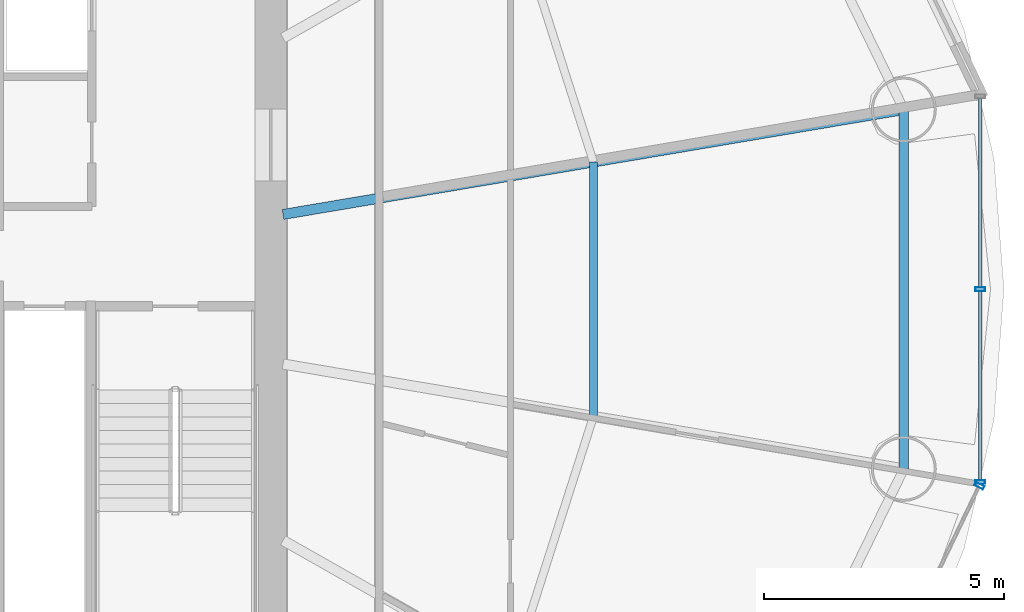
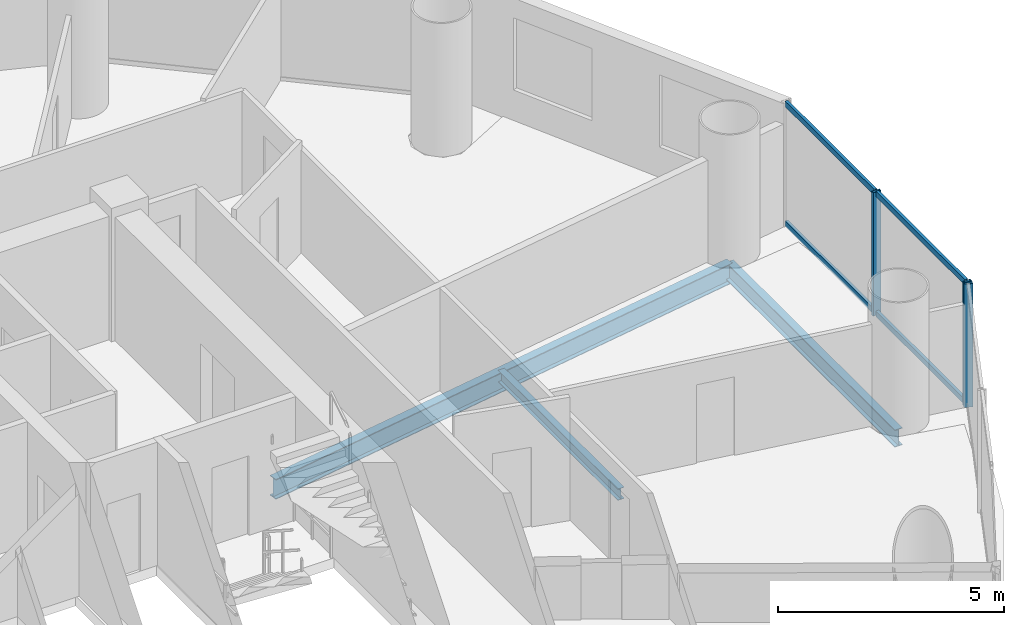
# One storey, part 12 of 26: 7 members, 3 beams, 2 elements without a shape of their own.
"""IFC4 building model written with IfcOpenShell, lengths in metres."""

from ifc_helpers import new_model, si_unit, direction, frame, origin, origin_2d, place, context, subcontext, project, spatial, hollow_rectangle, i_section, extrude, source, transform, mapped, material, material_profile, profile_set, type_object, element, aggregate, save


model = new_model("IFC4")

# Units and contexts
model_context = context("Model", 3, precision=1e-05, world=origin(), true_north=direction((-0.2419218956, 0.970295726276)))
body_context = subcontext(model_context, "Body", "Model", "MODEL_VIEW")
ifc_project = project(units=[si_unit("LENGTHUNIT", "METRE"), si_unit("AREAUNIT", "SQUARE_METRE"), si_unit("VOLUMEUNIT", "CUBIC_METRE"), si_unit("PLANEANGLEUNIT", "RADIAN"), si_unit("MASSUNIT", "GRAM", prefix="KILO")], contexts=[model_context])

# Site, building, storey
site_placement = place(None, origin())
site = spatial("IfcSite", under=ifc_project, at=site_placement, CompositionType="ELEMENT")
building_placement = place(site_placement, origin())
building = spatial("IfcBuilding", under=site, at=building_placement, Name="Cobrevalo Terracotta Tower", CompositionType="ELEMENT")
storey_placement = place(building_placement, frame((0.0, 0.0, 142.60009765625)))
storey = spatial("IfcBuildingStorey", under=building, at=storey_placement, Name="L37", CompositionType="ELEMENT", Elevation=142.60009765625)

# Beams
ifc_material_1 = material(Name="Steel S355", Category="steel")
ifc_material_profile_1 = material_profile(ifc_material_1, i_section(OverallWidth=0.2109375, OverallDepth=0.5390625, WebThickness=0.01171875, FlangeThickness=0.018798828125, at=origin_2d()), Name="W 530x109")
ifc_profile_set_1 = profile_set([ifc_material_profile_1], Name="Steel S355")
beam_type_1 = type_object("IfcBeamType", Name="Structural Beam W 530x109 (Steel S355)", PredefinedType="BEAM", material=ifc_profile_set_1)
beam_1_placement = place(storey_placement, frame((60.11669921875, 30.535888671875, -0.53955078125), z_axis=(-0.986032794282, -0.166551279191, 0.0), x_axis=(0.166551279191, -0.986032794282, 0.0)))
element("IfcBeam", 1, at=beam_1_placement, inside=storey, type_object=beam_type_1, Name="L37 radial floor girder 01", PredefinedType="BEAM", context=body_context, shape_type="SweptSolid", body=[
    extrude(i_section(OverallWidth=0.2109375, OverallDepth=0.5390625, WebThickness=0.01171875, FlangeThickness=0.018798828125, at=origin_2d()), origin(), (0.0, 0.0, 1.0), 13.094482421875),
])
ifc_material_profile_2 = material_profile(ifc_material_1, i_section(OverallWidth=0.1650390625, OverallDepth=0.31005859375, WebThickness=0.005859375, FlangeThickness=0.009765625, at=origin_2d()), Name="W 310x38.7")
ifc_profile_set_2 = profile_set([ifc_material_profile_2], Name="Steel S355")
beam_type_2 = type_object("IfcBeamType", Name="Structural Joist W 310x38.7 (Steel S355)", PredefinedType="JOIST", material=ifc_profile_set_2)
beam_2_placement = place(storey_placement, frame((53.660888671875, 24.154541015625, -0.425048828125), z_axis=(0.0, 1.0, 0.0), x_axis=(-1.0, 0.0, 0.0)))
element("IfcBeam", 2, at=beam_2_placement, inside=storey, type_object=beam_type_2, Name="L37 circumferential secondary floor joist 16", PredefinedType="JOIST", context=body_context, shape_type="SweptSolid", body=[
    extrude(i_section(OverallWidth=0.1650390625, OverallDepth=0.31005859375, WebThickness=0.005859375, FlangeThickness=0.009765625, at=origin_2d()), origin(), (0.0, 0.0, 1.0), 5.291015625),
])
ifc_material_profile_3 = material_profile(ifc_material_1, i_section(OverallWidth=0.194091796875, OverallDepth=0.468994140625, WebThickness=0.011474609375, FlangeThickness=0.0205078125, at=origin_2d()), Name="W 460x106")
ifc_profile_set_3 = profile_set([ifc_material_profile_3], Name="Steel S355")
beam_type_3 = type_object("IfcBeamType", Name="Structural Spandrel W 460x106 (Steel S355)", PredefinedType="SPANDREL", material=ifc_profile_set_3)
beam_3_placement = place(storey_placement, frame((60.11669921875, 23.06396484375, -0.504638671875), z_axis=(0.0, 1.0, 0.0), x_axis=(-1.0, 0.0, 0.0)))
element("IfcBeam", 3, at=beam_3_placement, inside=storey, type_object=beam_type_3, Name="L37 perimeter ring spandrel 16", PredefinedType="SPANDREL", context=body_context, shape_type="SweptSolid", body=[
    extrude(i_section(OverallWidth=0.194091796875, OverallDepth=0.468994140625, WebThickness=0.011474609375, FlangeThickness=0.0205078125, at=origin_2d()), origin(), (0.0, 0.0, 1.0), 7.471923828125),
])

# Curtain wall, members
ifc_material_2 = material(Name="Anodized aluminium", Category="aluminium")
curtain_wall_type = type_object("IfcCurtainWallType", Name="Mid-tower high-wind unitised curtain wall CW-U2", PredefinedType="NOTDEFINED", material=ifc_material_2)
curtain_wall_1_placement = place(storey_placement, origin())
curtain_wall_1 = element("IfcCurtainWall", 4, at=curtain_wall_1_placement, inside=storey, type_object=curtain_wall_type, Name="L37 curtain wall CW-L37-S16", PredefinedType="NOTDEFINED")
ifc_material_profile_4 = material_profile(ifc_material_2, hollow_rectangle(XDim=0.074951171875, YDim=0.14990234375, WallThickness=0.00439453125, at=origin_2d()), Name="CWT 75x150")
ifc_profile_set_4 = profile_set([ifc_material_profile_4], Name="Anodized aluminium")
member_type_1 = type_object("IfcMemberType", Name="Tower unitised aluminium transom 75x150", PredefinedType="USERDEFINED", material=ifc_profile_set_4)
shared_shape_1 = source(origin(), body_context, "Body", "SweptSolid", [
    extrude(hollow_rectangle(XDim=0.074951171875, YDim=0.14990234375, WallThickness=0.00439453125, at=origin_2d()), origin(), (0.0, 0.0, 1.0), 3.931884765625),
])
member_1_placement = place(storey_placement, frame((61.70556640625, 26.840087890625, 0.0498046875), z_axis=(0.0, 1.0, 0.0), x_axis=(-1.0, 0.0, 0.0)))
member_1 = element("IfcMember", 5, at=member_1_placement, type_object=member_type_1, Name="CW-L37-S16 transom B02-T1", ObjectType="TRANSOM", PredefinedType="USERDEFINED", context=body_context, shape_type="MappedRepresentation", body=[
    mapped(shared_shape_1, transform((0.0, 0.0, 0.0), scale=1.0)),
])
member_2_placement = place(storey_placement, frame((61.70556640625, 26.840087890625, 3.27978515625), z_axis=(0.0, 1.0, 0.0), x_axis=(-1.0, 0.0, 0.0)))
member_2 = element("IfcMember", 6, at=member_2_placement, type_object=member_type_1, Name="CW-L37-S16 transom B02-T2", ObjectType="TRANSOM", PredefinedType="USERDEFINED", context=body_context, shape_type="MappedRepresentation", body=[
    mapped(shared_shape_1, transform((0.0, 0.0, 0.0), scale=1.0)),
])
shared_shape_2 = source(origin(), body_context, "Body", "SweptSolid", [
    extrude(hollow_rectangle(XDim=0.074951171875, YDim=0.14990234375, WallThickness=0.00439453125, at=origin_2d()), origin(), (0.0, 0.0, 1.0), 3.93212890625),
])
member_3_placement = place(storey_placement, frame((61.70556640625, 22.827880859375, 0.0498046875), z_axis=(0.0, 1.0, 0.0), x_axis=(-1.0, 0.0, 0.0)))
member_3 = element("IfcMember", 7, at=member_3_placement, type_object=member_type_1, Name="CW-L37-S16 transom B01-T1", ObjectType="TRANSOM", PredefinedType="USERDEFINED", context=body_context, shape_type="MappedRepresentation", body=[
    mapped(shared_shape_2, transform((0.0, 0.0, 0.0), scale=1.0)),
])
member_4_placement = place(storey_placement, frame((61.70556640625, 22.827880859375, 3.27978515625), z_axis=(0.0, 1.0, 0.0), x_axis=(-1.0, 0.0, 0.0)))
member_4 = element("IfcMember", 8, at=member_4_placement, type_object=member_type_1, Name="CW-L37-S16 transom B01-T2", ObjectType="TRANSOM", PredefinedType="USERDEFINED", context=body_context, shape_type="MappedRepresentation", body=[
    mapped(shared_shape_2, transform((0.0, 0.0, 0.0), scale=1.0)),
])

# Curtain wall, member
curtain_wall_2_placement = place(storey_placement, origin())
curtain_wall_2 = element("IfcCurtainWall", 9, at=curtain_wall_2_placement, inside=storey, type_object=curtain_wall_type, Name="L37 curtain wall CW-L37-S15", PredefinedType="NOTDEFINED")
ifc_material_profile_5 = material_profile(ifc_material_2, hollow_rectangle(XDim=0.074951171875, YDim=0.199951171875, WallThickness=0.0048828125, at=origin_2d()), Name="CWM 75x200")
ifc_profile_set_5 = profile_set([ifc_material_profile_5], Name="Anodized aluminium")
member_type_2 = type_object("IfcMemberType", Name="Lower/mid tower unitised mullion 75x200", PredefinedType="MULLION", material=ifc_profile_set_5)
shared_shape_3 = source(origin(), body_context, "Body", "SweptSolid", [
    extrude(hollow_rectangle(XDim=0.074951171875, YDim=0.199951171875, WallThickness=0.0048828125, at=origin_2d()), origin(), (0.0, 0.0, 1.0), 3.329833984375),
])
member_5_placement = place(storey_placement, frame((61.688232421875, 22.7119140625, 0.0), z_axis=(0.0, 0.0, 1.0), x_axis=(0.434209440271, 0.900811945957, 0.0)))
member_5 = element("IfcMember", 10, at=member_5_placement, type_object=member_type_2, Name="CW-L37-S15 vertical mullion 03", PredefinedType="MULLION", context=body_context, shape_type="MappedRepresentation", body=[
    mapped(shared_shape_3, transform((0.0, 0.0, 0.0), scale=1.0)),
])
aggregate(curtain_wall_2, [member_5])

# Member
member_6_placement = place(storey_placement, frame((61.70556640625, 22.7880859375, 0.0), z_axis=(0.0, 0.0, 1.0), x_axis=(0.0, 1.0, 0.0)))
member_6 = element("IfcMember", 11, at=member_6_placement, type_object=member_type_2, Name="CW-L37-S16 vertical mullion 01", PredefinedType="MULLION", context=body_context, shape_type="MappedRepresentation", body=[
    mapped(shared_shape_3, transform((0.0, 0.0, 0.0), scale=1.0)),
])

member_7_placement = place(storey_placement, frame((61.70556640625, 26.800048828125, 0.0), z_axis=(0.0, 0.0, 1.0), x_axis=(0.0, 1.0, 0.0)))
member_7 = element("IfcMember", 12, at=member_7_placement, type_object=member_type_2, Name="CW-L37-S16 vertical mullion 02", PredefinedType="MULLION", context=body_context, shape_type="MappedRepresentation", body=[
    mapped(shared_shape_3, transform((0.0, 0.0, 0.0), scale=1.0)),
])

aggregate(curtain_wall_1, [member_6, member_7, member_3, member_4, member_1, member_2])

save(model, "model.ifc")
